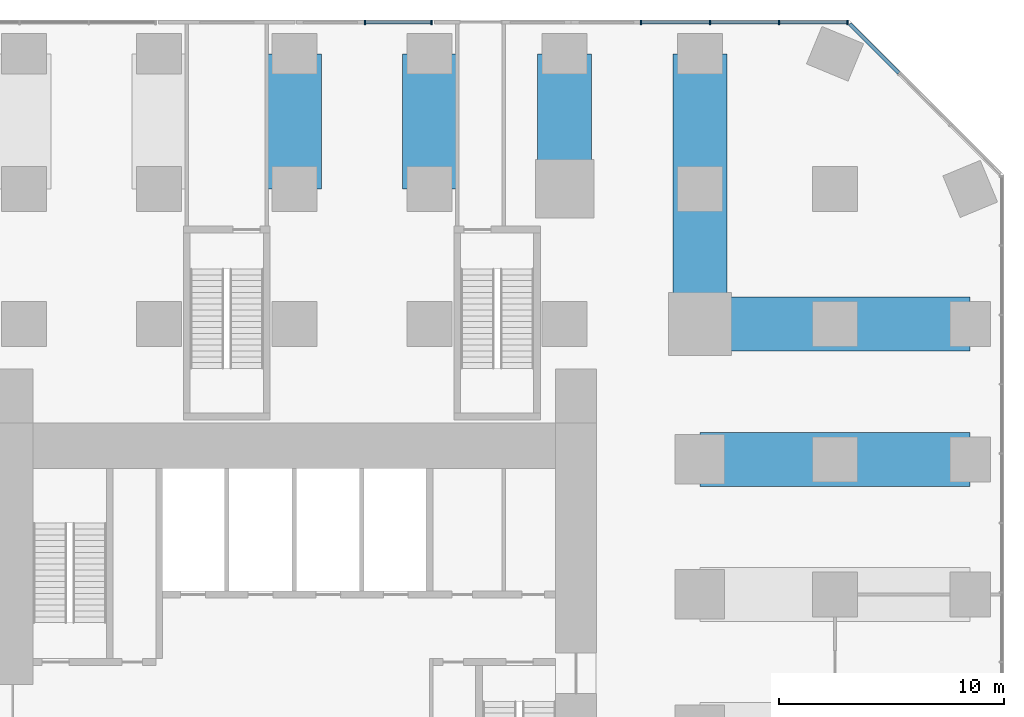
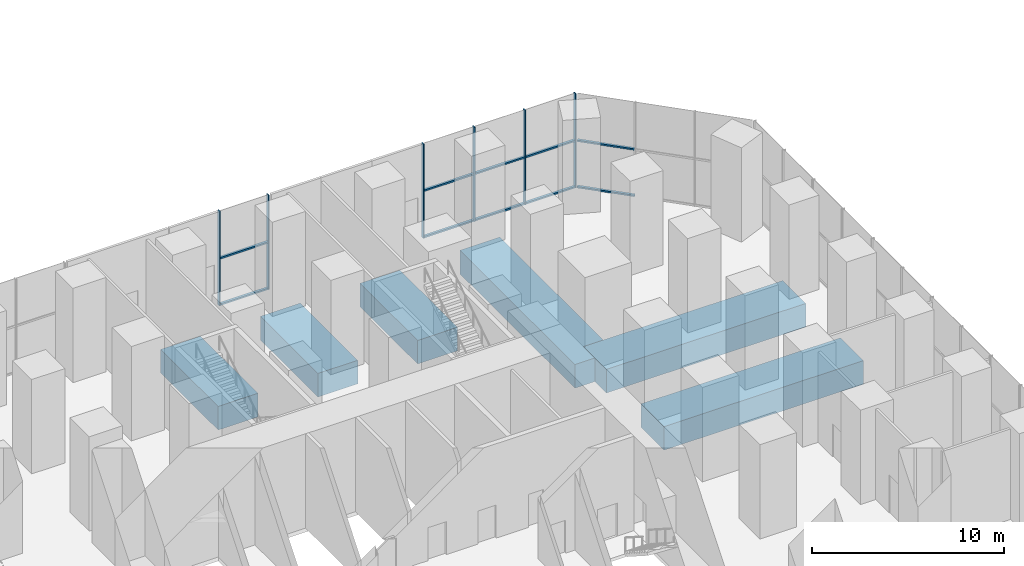
# One storey, part 7 of 21: 16 members, 6 beams, 3 elements without a shape of their own.
"""IFC4 building model written with IfcOpenShell, lengths in metres."""

from ifc_helpers import new_model, si_unit, direction, frame, origin, origin_2d, place, context, subcontext, project, spatial, rectangle, extrude, material, layer, layer_set, material_profile, profile_set, type_object, element, aggregate, save


model = new_model("IFC4")

# Units and contexts
model_context = context("Model", 3, precision=1e-05, world=origin(), true_north=direction((0.0, 1.0)))
body_context = subcontext(model_context, "Body", "Model", "MODEL_VIEW")
ifc_project = project(units=[si_unit("LENGTHUNIT", "METRE"), si_unit("AREAUNIT", "SQUARE_METRE"), si_unit("VOLUMEUNIT", "CUBIC_METRE"), si_unit("PLANEANGLEUNIT", "RADIAN"), si_unit("MASSUNIT", "GRAM", prefix="KILO")], contexts=[model_context])

# Site, building, storey
site_placement = place(None, origin())
site = spatial("IfcSite", under=ifc_project, at=site_placement, CompositionType="ELEMENT")
building_placement = place(site_placement, origin())
building = spatial("IfcBuilding", under=site, at=building_placement, Name="Highveld Stack Headquarters", CompositionType="ELEMENT")
storey_placement = place(building_placement, origin())
storey = spatial("IfcBuildingStorey", under=building, at=storey_placement, Name="L00", CompositionType="ELEMENT", Elevation=0.0)

# Curtain wall, members
ifc_material_1 = material(Name="Aluminium bronze anodised", Category="aluminium")
ifc_layer = layer(ifc_material_1, 0.199951171875)
ifc_layer_set = layer_set([ifc_layer], Name="Aluminium bronze anodised")
curtain_wall_type = type_object("IfcCurtainWallType", Name="CW3 PODIUM STICK CURTAIN WALL", PredefinedType="NOTDEFINED", material=ifc_layer_set)
curtain_wall_1_placement = place(storey_placement, origin())
curtain_wall_1 = element("IfcCurtainWall", 1, at=curtain_wall_1_placement, inside=storey, type_object=curtain_wall_type, Name="Curtain wall CW3 L00 N-1", PredefinedType="NOTDEFINED")
ifc_material_2 = material(Name="Aluminium bronze anodised", Category="aluminium")
ifc_material_profile_1 = material_profile(ifc_material_2, rectangle(XDim=0.199951171875, YDim=0.06494140625, at=origin_2d()), Name="CW3 MULLION 65x200")
ifc_profile_set_1 = profile_set([ifc_material_profile_1], Name="Aluminium bronze anodised")
member_type_1 = type_object("IfcMemberType", Name="CW3 MULLION 65x200", PredefinedType="MULLION", material=ifc_profile_set_1)
member_1_placement = place(storey_placement, frame((30.54736328125, 31.39990234375, 0.0), z_axis=(0.0, 0.0, 1.0), x_axis=(0.0, -1.0, 0.0)))
member_1 = element("IfcMember", 2, at=member_1_placement, type_object=member_type_1, Name="CW3 mullion L00 1", PredefinedType="MULLION", context=body_context, shape_type="SweptSolid", body=[
    extrude(rectangle(XDim=0.199951171875, YDim=0.06494140625, at=origin_2d()), origin(), (0.0, 0.0, 1.0), 6.0),
])
member_2_placement = place(storey_placement, frame((27.515380859375, 31.39990234375, 0.0), z_axis=(0.0, 0.0, 1.0), x_axis=(0.0, -1.0, 0.0)))
member_2 = element("IfcMember", 3, at=member_2_placement, type_object=member_type_1, Name="CW3 mullion L00 2", PredefinedType="MULLION", context=body_context, shape_type="SweptSolid", body=[
    extrude(rectangle(XDim=0.199951171875, YDim=0.06494140625, at=origin_2d()), origin(), (0.0, 0.0, 1.0), 6.0),
])
member_3_placement = place(storey_placement, frame((24.450927734375, 31.39990234375, 0.0), z_axis=(0.0, 0.0, 1.0), x_axis=(0.0, -1.0, 0.0)))
member_3 = element("IfcMember", 4, at=member_3_placement, type_object=member_type_1, Name="CW3 mullion L00 3", PredefinedType="MULLION", context=body_context, shape_type="SweptSolid", body=[
    extrude(rectangle(XDim=0.199951171875, YDim=0.06494140625, at=origin_2d()), origin(), (0.0, 0.0, 1.0), 6.0),
])
member_4_placement = place(storey_placement, frame((21.38671875, 31.39990234375, 0.0), z_axis=(0.0, 0.0, 1.0), x_axis=(0.0, -1.0, 0.0)))
member_4 = element("IfcMember", 5, at=member_4_placement, type_object=member_type_1, Name="CW3 mullion L00 4", PredefinedType="MULLION", context=body_context, shape_type="SweptSolid", body=[
    extrude(rectangle(XDim=0.199951171875, YDim=0.06494140625, at=origin_2d()), origin(), (0.0, 0.0, 1.0), 6.0),
])

curtain_wall_2_placement = place(storey_placement, origin())
curtain_wall_2 = element("IfcCurtainWall", 6, at=curtain_wall_2_placement, inside=storey, type_object=curtain_wall_type, Name="Curtain wall CW3 L00 N-2", PredefinedType="NOTDEFINED")
member_5_placement = place(storey_placement, frame((12.085693359375, 31.39990234375, 0.0), z_axis=(0.0, 0.0, 1.0), x_axis=(0.0, -1.0, 0.0)))
member_5 = element("IfcMember", 7, at=member_5_placement, type_object=member_type_1, Name="CW3 mullion L00 1", PredefinedType="MULLION", context=body_context, shape_type="SweptSolid", body=[
    extrude(rectangle(XDim=0.199951171875, YDim=0.06494140625, at=origin_2d()), origin(), (0.0, 0.0, 1.0), 6.0),
])
member_6_placement = place(storey_placement, frame((9.12890625, 31.39990234375, 0.0), z_axis=(0.0, 0.0, 1.0), x_axis=(0.0, -1.0, 0.0)))
member_6 = element("IfcMember", 8, at=member_6_placement, type_object=member_type_1, Name="CW3 mullion L00 2", PredefinedType="MULLION", context=body_context, shape_type="SweptSolid", body=[
    extrude(rectangle(XDim=0.199951171875, YDim=0.06494140625, at=origin_2d()), origin(), (0.0, 0.0, 1.0), 6.0),
])

curtain_wall_3_placement = place(storey_placement, origin())
curtain_wall_3 = element("IfcCurtainWall", 9, at=curtain_wall_3_placement, inside=storey, type_object=curtain_wall_type, Name="Curtain wall CW3 L00 NE", PredefinedType="NOTDEFINED")
ifc_material_3 = material(Name="Aluminium bronze anodised", Category="aluminium")
ifc_material_profile_2 = material_profile(ifc_material_3, rectangle(XDim=0.14990234375, YDim=0.10009765625, at=origin_2d()), Name="CW3 TRANSOM 150x100")
ifc_profile_set_2 = profile_set([ifc_material_profile_2], Name="Aluminium bronze anodised")
member_type_2 = type_object("IfcMemberType", Name="CW3 STACK TRANSOM 150x100", PredefinedType="USERDEFINED", material=ifc_profile_set_2)
member_7_placement = place(storey_placement, frame((32.830322265625, 29.149658203125, 0.050048828125), z_axis=(-0.707106781187, 0.707106781187, 0.0), x_axis=(-0.707106781187, -0.707106781187, 0.0)))
member_7 = element("IfcMember", 10, at=member_7_placement, type_object=member_type_2, Name="CW3 transom L00 3.1", ObjectType="TRANSOM", PredefinedType="USERDEFINED", context=body_context, shape_type="SweptSolid", body=[
    extrude(rectangle(XDim=0.14990234375, YDim=0.10009765625, at=origin_2d()), origin(), (0.0, 0.0, 1.0), 3.08251953125),
])
member_8_placement = place(storey_placement, frame((32.830322265625, 29.149658203125, 3.0), z_axis=(-0.707106781187, 0.707106781187, 0.0), x_axis=(-0.707106781187, -0.707106781187, 0.0)))
member_8 = element("IfcMember", 11, at=member_8_placement, type_object=member_type_2, Name="CW3 transom L00 3.2", ObjectType="TRANSOM", PredefinedType="USERDEFINED", context=body_context, shape_type="SweptSolid", body=[
    extrude(rectangle(XDim=0.14990234375, YDim=0.10009765625, at=origin_2d()), origin(), (0.0, 0.0, 1.0), 3.08251953125),
])
aggregate(curtain_wall_3, [member_7, member_8])

# Member
member_9_placement = place(storey_placement, frame((30.514892578125, 31.39990234375, 0.050048828125), z_axis=(-1.0, 0.0, 0.0), x_axis=(0.0, -1.0, 0.0)))
member_9 = element("IfcMember", 12, at=member_9_placement, type_object=member_type_2, Name="CW3 transom L00 1.1", ObjectType="TRANSOM", PredefinedType="USERDEFINED", context=body_context, shape_type="SweptSolid", body=[
    extrude(rectangle(XDim=0.14990234375, YDim=0.10009765625, at=origin_2d()), origin(), (0.0, 0.0, 1.0), 2.966796875),
])

member_10_placement = place(storey_placement, frame((30.514892578125, 31.39990234375, 3.0), z_axis=(-1.0, 0.0, 0.0), x_axis=(0.0, -1.0, 0.0)))
member_10 = element("IfcMember", 13, at=member_10_placement, type_object=member_type_2, Name="CW3 transom L00 1.2", ObjectType="TRANSOM", PredefinedType="USERDEFINED", context=body_context, shape_type="SweptSolid", body=[
    extrude(rectangle(XDim=0.14990234375, YDim=0.10009765625, at=origin_2d()), origin(), (0.0, 0.0, 1.0), 2.966796875),
])

member_11_placement = place(storey_placement, frame((27.48291015625, 31.39990234375, 0.050048828125), z_axis=(-1.0, 0.0, 0.0), x_axis=(0.0, -1.0, 0.0)))
member_11 = element("IfcMember", 14, at=member_11_placement, type_object=member_type_2, Name="CW3 transom L00 2.1", ObjectType="TRANSOM", PredefinedType="USERDEFINED", context=body_context, shape_type="SweptSolid", body=[
    extrude(rectangle(XDim=0.14990234375, YDim=0.10009765625, at=origin_2d()), origin(), (0.0, 0.0, 1.0), 2.99951171875),
])

member_12_placement = place(storey_placement, frame((27.48291015625, 31.39990234375, 3.0), z_axis=(-1.0, 0.0, 0.0), x_axis=(0.0, -1.0, 0.0)))
member_12 = element("IfcMember", 15, at=member_12_placement, type_object=member_type_2, Name="CW3 transom L00 2.2", ObjectType="TRANSOM", PredefinedType="USERDEFINED", context=body_context, shape_type="SweptSolid", body=[
    extrude(rectangle(XDim=0.14990234375, YDim=0.10009765625, at=origin_2d()), origin(), (0.0, 0.0, 1.0), 2.99951171875),
])

member_13_placement = place(storey_placement, frame((24.41845703125, 31.39990234375, 0.050048828125), z_axis=(-1.0, 0.0, 0.0), x_axis=(0.0, -1.0, 0.0)))
member_13 = element("IfcMember", 16, at=member_13_placement, type_object=member_type_2, Name="CW3 transom L00 3.1", ObjectType="TRANSOM", PredefinedType="USERDEFINED", context=body_context, shape_type="SweptSolid", body=[
    extrude(rectangle(XDim=0.14990234375, YDim=0.10009765625, at=origin_2d()), origin(), (0.0, 0.0, 1.0), 2.999267578125),
])

member_14_placement = place(storey_placement, frame((24.41845703125, 31.39990234375, 3.0), z_axis=(-1.0, 0.0, 0.0), x_axis=(0.0, -1.0, 0.0)))
member_14 = element("IfcMember", 17, at=member_14_placement, type_object=member_type_2, Name="CW3 transom L00 3.2", ObjectType="TRANSOM", PredefinedType="USERDEFINED", context=body_context, shape_type="SweptSolid", body=[
    extrude(rectangle(XDim=0.14990234375, YDim=0.10009765625, at=origin_2d()), origin(), (0.0, 0.0, 1.0), 2.999267578125),
])

aggregate(curtain_wall_1, [member_1, member_2, member_3, member_4, member_9, member_10, member_11, member_12, member_13, member_14])

member_15_placement = place(storey_placement, frame((12.05322265625, 31.39990234375, 0.050048828125), z_axis=(-1.0, 0.0, 0.0), x_axis=(0.0, -1.0, 0.0)))
member_15 = element("IfcMember", 18, at=member_15_placement, type_object=member_type_2, Name="CW3 transom L00 7.1", ObjectType="TRANSOM", PredefinedType="USERDEFINED", context=body_context, shape_type="SweptSolid", body=[
    extrude(rectangle(XDim=0.14990234375, YDim=0.10009765625, at=origin_2d()), origin(), (0.0, 0.0, 1.0), 2.891845703125),
])

member_16_placement = place(storey_placement, frame((12.05322265625, 31.39990234375, 3.0), z_axis=(-1.0, 0.0, 0.0), x_axis=(0.0, -1.0, 0.0)))
member_16 = element("IfcMember", 19, at=member_16_placement, type_object=member_type_2, Name="CW3 transom L00 7.2", ObjectType="TRANSOM", PredefinedType="USERDEFINED", context=body_context, shape_type="SweptSolid", body=[
    extrude(rectangle(XDim=0.14990234375, YDim=0.10009765625, at=origin_2d()), origin(), (0.0, 0.0, 1.0), 2.891845703125),
])

aggregate(curtain_wall_2, [member_5, member_6, member_15, member_16])

# Beams
ifc_material_4 = material(Name="Concrete C60/75", Category="concrete")
ifc_material_profile_3 = material_profile(ifc_material_4, rectangle(XDim=2.39990234375, YDim=1.5, at=origin_2d()), Name="RC 2400x1500")
ifc_profile_set_3 = profile_set([ifc_material_profile_3], Name="Concrete C60/75")
beam_type = type_object("IfcBeamType", Name="TRANSFER GIRDER RC 2400x1500 C60/75", PredefinedType="USERDEFINED", material=ifc_profile_set_3)
for number, where, z_axis, x_axis, name in (
    (20, (6.0, 24.0, -1.199951171875), (0.0, 1.0, 0.0), (-1.0, 0.0, 0.0), "Transfer girder 7/J"),
    (21, (12.0, 24.0, -1.199951171875), (0.0, 1.0, 0.0), (-1.0, 0.0, 0.0), "Transfer girder 8/J"),
    (22, (18.0, 24.0, -1.199951171875), (0.0, 1.0, 0.0), (-1.0, 0.0, 0.0), "Transfer girder 9/J"),
):
    element("IfcBeam", number, at=place(storey_placement, frame(where, z_axis=z_axis, x_axis=x_axis)), inside=storey, type_object=beam_type, Name=name, ObjectType="TRANSFER GIRDER", PredefinedType="USERDEFINED", context=body_context, shape_type="SweptSolid", body=[
        extrude(rectangle(XDim=2.39990234375, YDim=1.5, at=origin_2d()), origin(), (0.0, 0.0, 1.0), 6.0),
    ])
for number, where, z_axis, x_axis, name in (
    (23, (24.0, 18.0, -1.199951171875), (0.0, 1.0, 0.0), (-1.0, 0.0, 0.0), "Transfer girder 10/H"),
    (24, (24.0, 12.0, -1.199951171875), (1.0, 0.0, 0.0), (0.0, 1.0, 0.0), "Transfer girder 10/G"),
    (25, (24.0, 18.0, -1.199951171875), (1.0, 0.0, 0.0), (0.0, 1.0, 0.0), "Transfer girder 10/H"),
):
    element("IfcBeam", number, at=place(storey_placement, frame(where, z_axis=z_axis, x_axis=x_axis)), inside=storey, type_object=beam_type, Name=name, ObjectType="TRANSFER GIRDER", PredefinedType="USERDEFINED", context=body_context, shape_type="SweptSolid", body=[
        extrude(rectangle(XDim=2.39990234375, YDim=1.5, at=origin_2d()), origin(), (0.0, 0.0, 1.0), 12.0),
    ])

save(model, "model.ifc")
